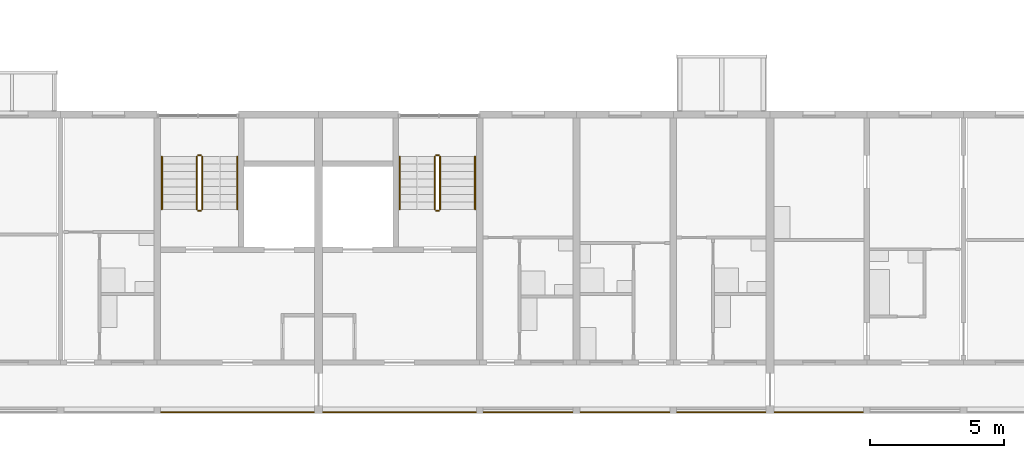
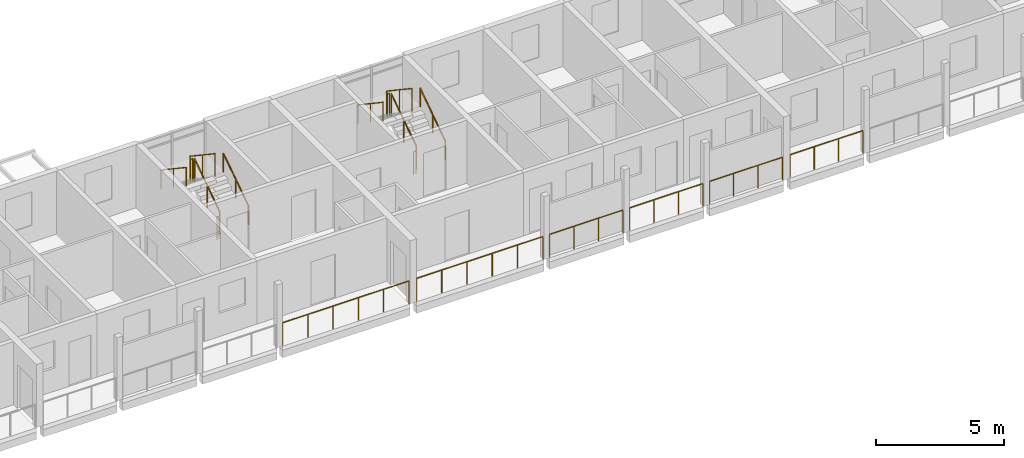
# One storey, part 77 of 98: 18 railings.
"""IFC4 building model written with IfcOpenShell, lengths in metres."""

from ifc_helpers import new_model, si_unit, direction, frame, origin, origin_2d, place, context, subcontext, project, spatial, circle, extrude, material, type_object, element, save


model = new_model("IFC4")

# Units and contexts
model_context = context("Model", 3, precision=1e-05, world=origin(), true_north=direction((0.0, 1.0)))
body_context = subcontext(model_context, "Body", "Model", "MODEL_VIEW")
ifc_project = project(units=[si_unit("LENGTHUNIT", "METRE"), si_unit("AREAUNIT", "SQUARE_METRE"), si_unit("VOLUMEUNIT", "CUBIC_METRE"), si_unit("PLANEANGLEUNIT", "RADIAN"), si_unit("MASSUNIT", "GRAM", prefix="KILO")], contexts=[model_context])

# Site, building, storey
site_placement = place(None, origin())
site = spatial("IfcSite", under=ifc_project, at=site_placement, CompositionType="ELEMENT")
building_placement = place(site_placement, origin())
building = spatial("IfcBuilding", under=site, at=building_placement, Name="Ridgestep Commons", CompositionType="ELEMENT")
storey_placement = place(building_placement, frame((0.0, 0.0, 12.0)))
storey = spatial("IfcBuildingStorey", under=building, at=storey_placement, Name="L04", CompositionType="ELEMENT", Elevation=12.0)

# Railings
ifc_material_1 = material(Name="Structural steel S355JR", Category="steel")
railing_type_1 = type_object("IfcRailingType", Name="Guard 1100", PredefinedType="GUARDRAIL", material=ifc_material_1)
railing_1_placement = place(storey_placement, frame((39.74609375, 11.800048828125, 0.0)))
element("IfcRailing", 1, at=railing_1_placement, inside=storey, type_object=railing_type_1, Name="Gallery guard A 04.8", PredefinedType="GUARDRAIL", context=body_context, shape_type="SweptSolid", body=[
    extrude(circle(Radius=0.02392578125, at=origin_2d()), frame((0.0, 0.0, 1.076171875), z_axis=(1.0, 0.0, 0.0), x_axis=(0.0, 1.0, 0.0)), (0.0, 0.0, 1.0), 5.682861328125),
    extrude(circle(Radius=0.02099609375, at=origin_2d()), origin(), (0.0, 0.0, 1.0), 1.052001953125),
    extrude(circle(Radius=0.02099609375, at=origin_2d()), frame((1.136474609375, 0.0, 0.0)), (0.0, 0.0, 1.0), 1.052001953125),
    extrude(circle(Radius=0.02099609375, at=origin_2d()), frame((2.273193359375, 0.0, 0.0)), (0.0, 0.0, 1.0), 1.052001953125),
    extrude(circle(Radius=0.02099609375, at=origin_2d()), frame((3.40966796875, 0.0, 0.0)), (0.0, 0.0, 1.0), 1.052001953125),
    extrude(circle(Radius=0.02099609375, at=origin_2d()), frame((4.54638671875, 0.0, 0.0)), (0.0, 0.0, 1.0), 1.052001953125),
    extrude(circle(Radius=0.02099609375, at=origin_2d()), frame((5.682861328125, 0.0, 0.0)), (0.0, 0.0, 1.0), 1.052001953125),
])
railing_2_placement = place(storey_placement, frame((45.77099609375, 11.800048828125, 0.0)))
element("IfcRailing", 2, at=railing_2_placement, inside=storey, type_object=railing_type_1, Name="Gallery guard A 04.9", PredefinedType="GUARDRAIL", context=body_context, shape_type="SweptSolid", body=[
    extrude(circle(Radius=0.02392578125, at=origin_2d()), frame((0.0, 0.0, 1.076171875), z_axis=(1.0, 0.0, 0.0), x_axis=(0.0, 1.0, 0.0)), (0.0, 0.0, 1.0), 5.68310546875),
    extrude(circle(Radius=0.02099609375, at=origin_2d()), origin(), (0.0, 0.0, 1.0), 1.052001953125),
    extrude(circle(Radius=0.02099609375, at=origin_2d()), frame((1.13671875, 0.0, 0.0)), (0.0, 0.0, 1.0), 1.052001953125),
    extrude(circle(Radius=0.02099609375, at=origin_2d()), frame((2.273193359375, 0.0, 0.0)), (0.0, 0.0, 1.0), 1.052001953125),
    extrude(circle(Radius=0.02099609375, at=origin_2d()), frame((3.409912109375, 0.0, 0.0)), (0.0, 0.0, 1.0), 1.052001953125),
    extrude(circle(Radius=0.02099609375, at=origin_2d()), frame((4.54638671875, 0.0, 0.0)), (0.0, 0.0, 1.0), 1.052001953125),
    extrude(circle(Radius=0.02099609375, at=origin_2d()), frame((5.68310546875, 0.0, 0.0)), (0.0, 0.0, 1.0), 1.052001953125),
])
railing_3_placement = place(storey_placement, frame((51.74609375, 11.800048828125, 0.0)))
element("IfcRailing", 3, at=railing_3_placement, inside=storey, type_object=railing_type_1, Name="Gallery guard A 04.10", PredefinedType="GUARDRAIL", context=body_context, shape_type="SweptSolid", body=[
    extrude(circle(Radius=0.02392578125, at=origin_2d()), frame((0.0, 0.0, 1.076171875), z_axis=(1.0, 0.0, 0.0), x_axis=(0.0, 1.0, 0.0)), (0.0, 0.0, 1.0), 3.307861328125),
    extrude(circle(Radius=0.02099609375, at=origin_2d()), origin(), (0.0, 0.0, 1.0), 1.052001953125),
    extrude(circle(Radius=0.02099609375, at=origin_2d()), frame((1.1025390625, 0.0, 0.0)), (0.0, 0.0, 1.0), 1.052001953125),
    extrude(circle(Radius=0.02099609375, at=origin_2d()), frame((2.205322265625, 0.0, 0.0)), (0.0, 0.0, 1.0), 1.052001953125),
    extrude(circle(Radius=0.02099609375, at=origin_2d()), frame((3.307861328125, 0.0, 0.0)), (0.0, 0.0, 1.0), 1.052001953125),
])
railing_4_placement = place(storey_placement, frame((55.345947265625, 11.800048828125, 0.0)))
element("IfcRailing", 4, at=railing_4_placement, inside=storey, type_object=railing_type_1, Name="Gallery guard A 04.11", PredefinedType="GUARDRAIL", context=body_context, shape_type="SweptSolid", body=[
    extrude(circle(Radius=0.02392578125, at=origin_2d()), frame((0.0, 0.0, 1.076171875), z_axis=(1.0, 0.0, 0.0), x_axis=(0.0, 1.0, 0.0)), (0.0, 0.0, 1.0), 3.30810546875),
    extrude(circle(Radius=0.02099609375, at=origin_2d()), origin(), (0.0, 0.0, 1.0), 1.052001953125),
    extrude(circle(Radius=0.02099609375, at=origin_2d()), frame((1.102783203125, 0.0, 0.0)), (0.0, 0.0, 1.0), 1.052001953125),
    extrude(circle(Radius=0.02099609375, at=origin_2d()), frame((2.205322265625, 0.0, 0.0)), (0.0, 0.0, 1.0), 1.052001953125),
    extrude(circle(Radius=0.02099609375, at=origin_2d()), frame((3.30810546875, 0.0, 0.0)), (0.0, 0.0, 1.0), 1.052001953125),
])
for number, where, name in (
    (5, (58.946044921875, 11.800048828125, 0.0), "Gallery guard A 04.12"),
    (6, (62.571044921875, 11.800048828125, 0.0), "Gallery guard A 04.13"),
):
    element("IfcRailing", number, at=place(storey_placement, frame(where)), inside=storey, type_object=railing_type_1, Name=name, PredefinedType="GUARDRAIL", context=body_context, shape_type="SweptSolid", body=[
        extrude(circle(Radius=0.02392578125, at=origin_2d()), frame((0.0, 0.0, 1.076171875), z_axis=(1.0, 0.0, 0.0), x_axis=(0.0, 1.0, 0.0)), (0.0, 0.0, 1.0), 3.282958984375),
        extrude(circle(Radius=0.02099609375, at=origin_2d()), origin(), (0.0, 0.0, 1.0), 1.052001953125),
        extrude(circle(Radius=0.02099609375, at=origin_2d()), frame((1.09423828125, 0.0, 0.0)), (0.0, 0.0, 1.0), 1.052001953125),
        extrude(circle(Radius=0.02099609375, at=origin_2d()), frame((2.188720703125, 0.0, 0.0)), (0.0, 0.0, 1.0), 1.052001953125),
        extrude(circle(Radius=0.02099609375, at=origin_2d()), frame((3.282958984375, 0.0, 0.0)), (0.0, 0.0, 1.0), 1.052001953125),
    ])
ifc_material_2 = material(Name="Structural steel S355JR", Category="steel")
railing_type_2 = type_object("IfcRailingType", Name="Stair guard 1100", PredefinedType="GUARDRAIL", material=ifc_material_2)
railing_5_placement = place(storey_placement, frame((41.27490234375, 19.35009765625, 0.1875)))
element("IfcRailing", 7, at=railing_5_placement, inside=storey, type_object=railing_type_2, Name="L04 A2C stair guard 1", PredefinedType="GUARDRAIL", context=body_context, shape_type="SweptSolid", body=[
    extrude(circle(Radius=0.02392578125, at=origin_2d()), frame((0.0, 0.0, 1.076171875), z_axis=(0.0, 0.830902050051, 0.556418712142), x_axis=(-1.0, 0.0, 0.0)), (0.0, 0.0, 1.0), 2.35888671875),
    extrude(circle(Radius=0.02099609375, at=origin_2d()), origin(), (0.0, 0.0, 1.0), 1.052001953125),
    extrude(circle(Radius=0.02099609375, at=origin_2d()), frame((0.0, 0.97998046875, 0.65625)), (0.0, 0.0, 1.0), 1.052001953125),
    extrude(circle(Radius=0.02099609375, at=origin_2d()), frame((0.0, 1.9599609375, 1.3125)), (0.0, 0.0, 1.0), 1.052001953125),
])
railing_6_placement = place(storey_placement, frame((41.22509765625, 21.360107421875, 1.5)))
element("IfcRailing", 8, at=railing_6_placement, inside=storey, type_object=railing_type_2, Name="L04 A2C stair guard 2", PredefinedType="GUARDRAIL", context=body_context, shape_type="SweptSolid", body=[
    extrude(circle(Radius=0.02392578125, at=origin_2d()), frame((0.0, 0.0, 1.076171875), z_axis=(-1.0, 0.0, 0.0), x_axis=(0.0, -1.0, 0.0)), (0.0, 0.0, 1.0), 0.10009765625),
    extrude(circle(Radius=0.02099609375, at=origin_2d()), origin(), (0.0, 0.0, 1.0), 1.052001953125),
    extrude(circle(Radius=0.02099609375, at=origin_2d()), frame((-0.10009765625, 0.0, 0.0)), (0.0, 0.0, 1.0), 1.052001953125),
])
railing_7_placement = place(storey_placement, frame((41.074951171875, 21.31005859375, 1.6875)))
element("IfcRailing", 9, at=railing_7_placement, inside=storey, type_object=railing_type_2, Name="L04 A2C stair guard 3", PredefinedType="GUARDRAIL", context=body_context, shape_type="SweptSolid", body=[
    extrude(circle(Radius=0.02392578125, at=origin_2d()), frame((0.0, 0.0, 1.076171875), z_axis=(0.0, -0.830902050051, 0.556418712142), x_axis=(1.0, 0.0, 0.0)), (0.0, 0.0, 1.0), 2.35888671875),
    extrude(circle(Radius=0.02099609375, at=origin_2d()), origin(), (0.0, 0.0, 1.0), 1.052001953125),
    extrude(circle(Radius=0.02099609375, at=origin_2d()), frame((0.0, -0.97998046875, 0.65625)), (0.0, 0.0, 1.0), 1.052001953125),
    extrude(circle(Radius=0.02099609375, at=origin_2d()), frame((0.0, -1.9599609375, 1.3125)), (0.0, 0.0, 1.0), 1.052001953125),
])
railing_8_placement = place(storey_placement, frame((41.22509765625, 19.300048828125, 0.0)))
element("IfcRailing", 10, at=railing_8_placement, inside=storey, type_object=railing_type_2, Name="L04 A2C stair guard 4", PredefinedType="GUARDRAIL", context=body_context, shape_type="SweptSolid", body=[
    extrude(circle(Radius=0.02392578125, at=origin_2d()), frame((0.0, 0.0, 1.076171875), z_axis=(-1.0, 0.0, 0.0), x_axis=(0.0, -1.0, 0.0)), (0.0, 0.0, 1.0), 0.10009765625),
    extrude(circle(Radius=0.02099609375, at=origin_2d()), origin(), (0.0, 0.0, 1.0), 1.052001953125),
    extrude(circle(Radius=0.02099609375, at=origin_2d()), frame((-0.10009765625, 0.0, 0.0)), (0.0, 0.0, 1.0), 1.052001953125),
])
railing_9_placement = place(storey_placement, frame((50.125, 19.35009765625, 0.1875)))
element("IfcRailing", 11, at=railing_9_placement, inside=storey, type_object=railing_type_2, Name="L04 A3C stair guard 1", PredefinedType="GUARDRAIL", context=body_context, shape_type="SweptSolid", body=[
    extrude(circle(Radius=0.02392578125, at=origin_2d()), frame((0.0, 0.0, 1.076171875), z_axis=(0.0, 0.830902050051, 0.556418712142), x_axis=(-1.0, 0.0, 0.0)), (0.0, 0.0, 1.0), 2.35888671875),
    extrude(circle(Radius=0.02099609375, at=origin_2d()), origin(), (0.0, 0.0, 1.0), 1.052001953125),
    extrude(circle(Radius=0.02099609375, at=origin_2d()), frame((0.0, 0.97998046875, 0.65625)), (0.0, 0.0, 1.0), 1.052001953125),
    extrude(circle(Radius=0.02099609375, at=origin_2d()), frame((0.0, 1.9599609375, 1.3125)), (0.0, 0.0, 1.0), 1.052001953125),
])
railing_10_placement = place(storey_placement, frame((50.074951171875, 21.360107421875, 1.5)))
element("IfcRailing", 12, at=railing_10_placement, inside=storey, type_object=railing_type_2, Name="L04 A3C stair guard 2", PredefinedType="GUARDRAIL", context=body_context, shape_type="SweptSolid", body=[
    extrude(circle(Radius=0.02392578125, at=origin_2d()), frame((0.0, 0.0, 1.076171875), z_axis=(-1.0, 0.0, 0.0), x_axis=(0.0, -1.0, 0.0)), (0.0, 0.0, 1.0), 0.099853515625),
    extrude(circle(Radius=0.02099609375, at=origin_2d()), origin(), (0.0, 0.0, 1.0), 1.052001953125),
    extrude(circle(Radius=0.02099609375, at=origin_2d()), frame((-0.099853515625, 0.0, 0.0)), (0.0, 0.0, 1.0), 1.052001953125),
])
railing_11_placement = place(storey_placement, frame((49.925048828125, 21.31005859375, 1.6875)))
element("IfcRailing", 13, at=railing_11_placement, inside=storey, type_object=railing_type_2, Name="L04 A3C stair guard 3", PredefinedType="GUARDRAIL", context=body_context, shape_type="SweptSolid", body=[
    extrude(circle(Radius=0.02392578125, at=origin_2d()), frame((0.0, 0.0, 1.076171875), z_axis=(0.0, -0.830902050051, 0.556418712142), x_axis=(1.0, 0.0, 0.0)), (0.0, 0.0, 1.0), 2.35888671875),
    extrude(circle(Radius=0.02099609375, at=origin_2d()), origin(), (0.0, 0.0, 1.0), 1.052001953125),
    extrude(circle(Radius=0.02099609375, at=origin_2d()), frame((0.0, -0.97998046875, 0.65625)), (0.0, 0.0, 1.0), 1.052001953125),
    extrude(circle(Radius=0.02099609375, at=origin_2d()), frame((0.0, -1.9599609375, 1.3125)), (0.0, 0.0, 1.0), 1.052001953125),
])
railing_12_placement = place(storey_placement, frame((50.074951171875, 19.300048828125, 0.0)))
element("IfcRailing", 14, at=railing_12_placement, inside=storey, type_object=railing_type_2, Name="L04 A3C stair guard 4", PredefinedType="GUARDRAIL", context=body_context, shape_type="SweptSolid", body=[
    extrude(circle(Radius=0.02392578125, at=origin_2d()), frame((0.0, 0.0, 1.076171875), z_axis=(-1.0, 0.0, 0.0), x_axis=(0.0, -1.0, 0.0)), (0.0, 0.0, 1.0), 0.099853515625),
    extrude(circle(Radius=0.02099609375, at=origin_2d()), origin(), (0.0, 0.0, 1.0), 1.052001953125),
    extrude(circle(Radius=0.02099609375, at=origin_2d()), frame((-0.099853515625, 0.0, 0.0)), (0.0, 0.0, 1.0), 1.052001953125),
])
ifc_material_3 = material(Name="Structural steel S355JR", Category="steel")
railing_type_3 = type_object("IfcRailingType", Name="Stair handrail 900", PredefinedType="HANDRAIL", material=ifc_material_3)
railing_13_placement = place(storey_placement, frame((42.574951171875, 19.35009765625, 0.1875)))
element("IfcRailing", 15, at=railing_13_placement, inside=storey, type_object=railing_type_3, Name="L04 A2C stair handrail 1", PredefinedType="HANDRAIL", context=body_context, shape_type="SweptSolid", body=[
    extrude(circle(Radius=0.02392578125, at=origin_2d()), frame((0.0, 0.0, 0.8759765625), z_axis=(0.0, 0.830902050051, 0.556418712142), x_axis=(-1.0, 0.0, 0.0)), (0.0, 0.0, 1.0), 2.35888671875),
    extrude(circle(Radius=0.02099609375, at=origin_2d()), origin(), (0.0, 0.0, 1.0), 0.851806640625),
    extrude(circle(Radius=0.02099609375, at=origin_2d()), frame((0.0, 0.97998046875, 0.65625)), (0.0, 0.0, 1.0), 0.851806640625),
    extrude(circle(Radius=0.02099609375, at=origin_2d()), frame((0.0, 1.9599609375, 1.3125)), (0.0, 0.0, 1.0), 0.851806640625),
])
railing_14_placement = place(storey_placement, frame((39.77490234375, 21.31005859375, 1.6875)))
element("IfcRailing", 16, at=railing_14_placement, inside=storey, type_object=railing_type_3, Name="L04 A2C stair handrail 2", PredefinedType="HANDRAIL", context=body_context, shape_type="SweptSolid", body=[
    extrude(circle(Radius=0.02392578125, at=origin_2d()), frame((0.0, 0.0, 0.8759765625), z_axis=(0.0, -0.830902050051, 0.556418712142), x_axis=(1.0, 0.0, 0.0)), (0.0, 0.0, 1.0), 2.35888671875),
    extrude(circle(Radius=0.02099609375, at=origin_2d()), origin(), (0.0, 0.0, 1.0), 0.851806640625),
    extrude(circle(Radius=0.02099609375, at=origin_2d()), frame((0.0, -0.97998046875, 0.65625)), (0.0, 0.0, 1.0), 0.851806640625),
    extrude(circle(Radius=0.02099609375, at=origin_2d()), frame((0.0, -1.9599609375, 1.3125)), (0.0, 0.0, 1.0), 0.851806640625),
])
railing_15_placement = place(storey_placement, frame((51.425048828125, 19.35009765625, 0.1875)))
element("IfcRailing", 17, at=railing_15_placement, inside=storey, type_object=railing_type_3, Name="L04 A3C stair handrail 1", PredefinedType="HANDRAIL", context=body_context, shape_type="SweptSolid", body=[
    extrude(circle(Radius=0.02392578125, at=origin_2d()), frame((0.0, 0.0, 0.8759765625), z_axis=(0.0, 0.830902050051, 0.556418712142), x_axis=(-1.0, 0.0, 0.0)), (0.0, 0.0, 1.0), 2.35888671875),
    extrude(circle(Radius=0.02099609375, at=origin_2d()), origin(), (0.0, 0.0, 1.0), 0.851806640625),
    extrude(circle(Radius=0.02099609375, at=origin_2d()), frame((0.0, 0.97998046875, 0.65625)), (0.0, 0.0, 1.0), 0.851806640625),
    extrude(circle(Radius=0.02099609375, at=origin_2d()), frame((0.0, 1.9599609375, 1.3125)), (0.0, 0.0, 1.0), 0.851806640625),
])
railing_16_placement = place(storey_placement, frame((48.625, 21.31005859375, 1.6875)))
element("IfcRailing", 18, at=railing_16_placement, inside=storey, type_object=railing_type_3, Name="L04 A3C stair handrail 2", PredefinedType="HANDRAIL", context=body_context, shape_type="SweptSolid", body=[
    extrude(circle(Radius=0.02392578125, at=origin_2d()), frame((0.0, 0.0, 0.8759765625), z_axis=(0.0, -0.830902050051, 0.556418712142), x_axis=(1.0, 0.0, 0.0)), (0.0, 0.0, 1.0), 2.35888671875),
    extrude(circle(Radius=0.02099609375, at=origin_2d()), origin(), (0.0, 0.0, 1.0), 0.851806640625),
    extrude(circle(Radius=0.02099609375, at=origin_2d()), frame((0.0, -0.97998046875, 0.65625)), (0.0, 0.0, 1.0), 0.851806640625),
    extrude(circle(Radius=0.02099609375, at=origin_2d()), frame((0.0, -1.9599609375, 1.3125)), (0.0, 0.0, 1.0), 0.851806640625),
])

save(model, "model.ifc")
